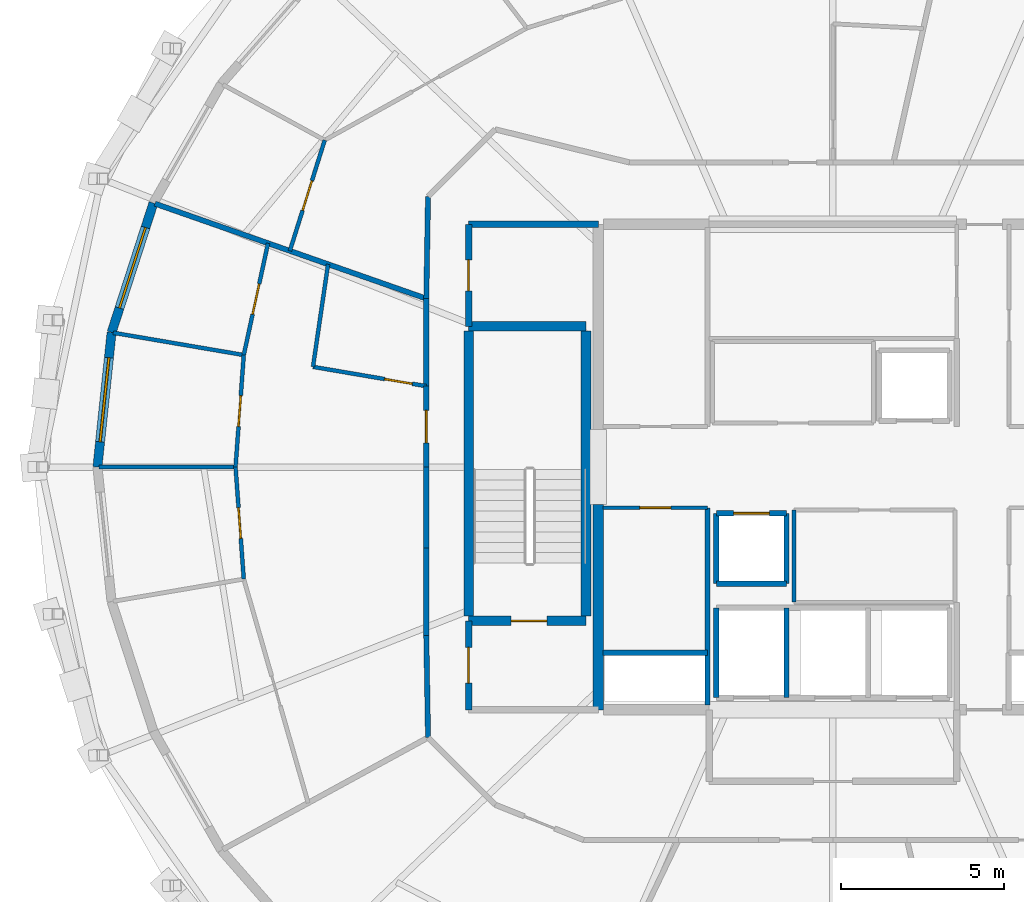
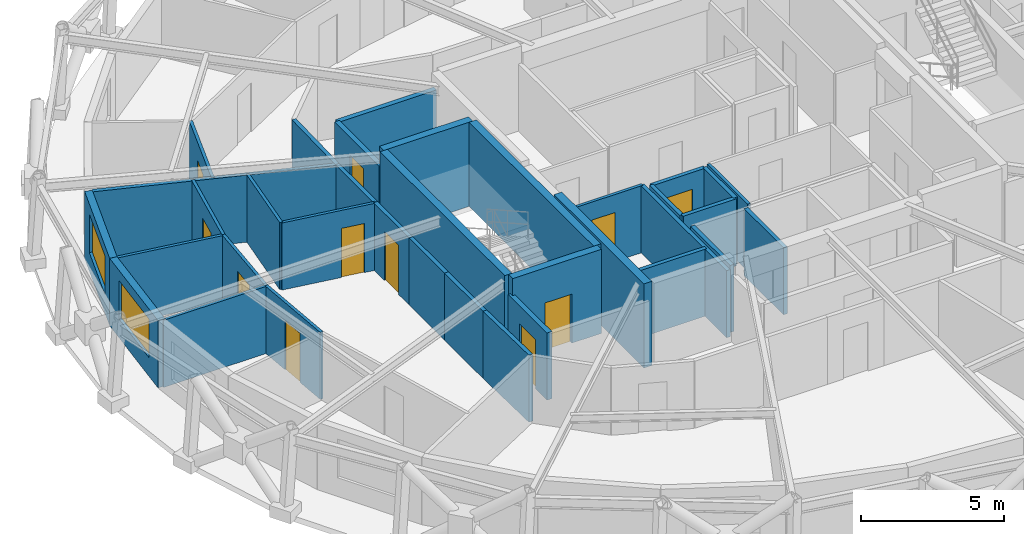
# One storey, part 12 of 17: 35 walls, 11 doors, 2 windows, 13 openings.
"""IFC4 building model written with IfcOpenShell, lengths in metres."""

from ifc_helpers import new_model, si_unit, direction, frame, frame_2d, origin, place, context, subcontext, project, spatial, rectangle, extrude, material, layer, layer_set, type_object, element, fill, save


model = new_model("IFC4")

# Units and contexts
model_context = context("Model", 3, precision=1e-05, world=origin(), true_north=direction((0.0, 1.0)))
body_context = subcontext(model_context, "Body", "Model", "MODEL_VIEW")
ifc_project = project(units=[si_unit("LENGTHUNIT", "METRE"), si_unit("AREAUNIT", "SQUARE_METRE"), si_unit("VOLUMEUNIT", "CUBIC_METRE"), si_unit("PLANEANGLEUNIT", "RADIAN"), si_unit("MASSUNIT", "GRAM", prefix="KILO")], contexts=[model_context])

# Site, building, storey
site_placement = place(None, origin())
site = spatial("IfcSite", under=ifc_project, at=site_placement, CompositionType="ELEMENT")
building_placement = place(site_placement, origin())
building = spatial("IfcBuilding", under=site, at=building_placement, Name="Veldorina Hangang Commons", CompositionType="ELEMENT")
storey_placement = place(building_placement, frame((0.0, 0.0, 229.199951171875)))
storey = spatial("IfcBuildingStorey", under=building, at=storey_placement, Name="L59", CompositionType="ELEMENT", Elevation=229.199951171875)

# Wall
ifc_material_1 = material(Name="Concrete C50/60", Category="concrete")
ifc_layer_1 = layer(ifc_material_1, 0.320068359375)
ifc_layer_set_1 = layer_set([ifc_layer_1], Name="Concrete C50/60")
wall_type_1 = type_object("IfcWallType", Name="CW-RC320-C50", PredefinedType="SHEAR", material=ifc_layer_set_1)
wall_1_placement = place(storey_placement, frame((24.800048828125, 16.550048828125, 0.0), z_axis=(0.0, 0.0, 1.0), x_axis=(0.0, 1.0, 0.0)))
element("IfcWall", 1, at=wall_1_placement, inside=storey, type_object=wall_type_1, Name="L59 W south core shear wall", PredefinedType="SHEAR", context=body_context, shape_type="SweptSolid", body=[
    extrude(rectangle(XDim=6.300048828125, YDim=0.320068359375, at=frame_2d((3.14990234375, 0.0))), origin(), (0.0, 0.0, 1.0), 3.60009765625),
])

# Wall, opening, window
ifc_material_2 = material(Name="Stone Roman Travertine", Category="masonry")
ifc_layer_2 = layer(ifc_material_2, 0.280029296875)
ifc_layer_set_2 = layer_set([ifc_layer_2], Name="Stone Roman Travertine")
wall_type_2 = type_object("IfcWallType", Name="EW-TRAV-280", PredefinedType="STANDARD", material=ifc_layer_set_2)
wall_2_placement = place(storey_placement, frame((11.144287109375, 32.1015625, 0.0), z_axis=(0.0, 0.0, 1.0), x_axis=(-0.307722172472, -0.951476255389, 0.0)))
wall_2 = element("IfcWall", 2, at=wall_2_placement, inside=storey, type_object=wall_type_2, Name="L59 travertine facade wall 14", PredefinedType="STANDARD", context=body_context, shape_type="SweptSolid", body=[
    extrude(rectangle(XDim=4.174072265625, YDim=0.280029296875, at=frame_2d((2.0869140625, 0.0))), origin(), (0.0, 0.0, 1.0), 2.880126953125),
])
opening_1_placement = place(wall_2_placement, frame((0.787109375, 0.0, 0.800048828125)))
opening_1 = element("IfcOpeningElement", 3, at=opening_1_placement, cuts=wall_2, Name="Opening W-02", PredefinedType="OPENING", context=body_context, shape_type="SweptSolid", body=[
    extrude(rectangle(XDim=2.60009765625, YDim=1.64990234375, at=frame_2d((1.300048828125, 0.824951171875))), frame((0.0, 0.14990234375, 0.0), z_axis=(0.0, -1.0, 0.0), x_axis=(1.0, 0.0, 0.0)), (0.0, 0.0, 1.0), 0.300048828125),
])
ifc_material_3 = material(Name="Glass Low-E Triple IGU", Category="glass")
window_type = type_object("IfcWindowType", Name="WIN-TWR-2600", PartitioningType="SINGLE_PANEL", PredefinedType="WINDOW", material=ifc_material_3)
window_1_placement = place(opening_1_placement, origin())
window_1 = element("IfcWindow", 4, at=window_1_placement, inside=storey, type_object=window_type, Name="L59 facade window 14", OverallHeight=1.64990234375, OverallWidth=2.60009765625, PartitioningType="SINGLE_PANEL", PredefinedType="WINDOW", context=body_context, shape_type="SweptSolid", body=[
    extrude(rectangle(XDim=2.60009765625, YDim=1.64990234375, at=frame_2d((1.300048828125, 0.824951171875))), frame((0.0, 0.030029296875, 0.0), z_axis=(0.0, -1.0, 0.0), x_axis=(1.0, 0.0, 0.0)), (0.0, 0.0, 1.0), 0.06005859375),
])
fill(opening_1, window_1)

wall_3_placement = place(storey_placement, frame((9.85986328125, 28.130126953125, 0.0), z_axis=(0.0, 0.0, 1.0), x_axis=(-0.104467505457, -0.994528300404, 0.0)))
wall_3 = element("IfcWall", 5, at=wall_3_placement, inside=storey, type_object=wall_type_2, Name="L59 travertine facade wall 15", PredefinedType="STANDARD", context=body_context, shape_type="SweptSolid", body=[
    extrude(rectangle(XDim=4.15283203125, YDim=0.280029296875, at=frame_2d((2.076416015625, 0.0))), origin(), (0.0, 0.0, 1.0), 2.880126953125),
])
opening_2_placement = place(wall_3_placement, frame((0.7763671875, 0.0, 0.800048828125)))
opening_2 = element("IfcOpeningElement", 6, at=opening_2_placement, cuts=wall_3, Name="Opening W-02", PredefinedType="OPENING", context=body_context, shape_type="SweptSolid", body=[
    extrude(rectangle(XDim=2.60009765625, YDim=1.64990234375, at=frame_2d((1.300048828125, 0.824951171875))), frame((0.0, 0.14990234375, 0.0), z_axis=(0.0, -1.0, 0.0), x_axis=(1.0, 0.0, 0.0)), (0.0, 0.0, 1.0), 0.300048828125),
])
window_2_placement = place(opening_2_placement, origin())
window_2 = element("IfcWindow", 7, at=window_2_placement, inside=storey, type_object=window_type, Name="L59 facade window 15", OverallHeight=1.64990234375, OverallWidth=2.60009765625, PartitioningType="SINGLE_PANEL", PredefinedType="WINDOW", context=body_context, shape_type="SweptSolid", body=[
    extrude(rectangle(XDim=2.60009765625, YDim=1.64990234375, at=frame_2d((1.300048828125, 0.824951171875))), frame((0.0, 0.030029296875, 0.0), z_axis=(0.0, -1.0, 0.0), x_axis=(1.0, 0.0, 0.0)), (0.0, 0.0, 1.0), 0.06005859375),
])
fill(opening_2, window_2)

# Walls
ifc_layer_3 = layer(ifc_material_1, 0.300048828125)
ifc_layer_set_3 = layer_set([ifc_layer_3], Name="Concrete C50/60")
wall_type_3 = type_object("IfcWallType", Name="SW-STAIR-300", PredefinedType="SHEAR", material=ifc_layer_set_3)
for number, where, z_axis, x_axis, name in (
    (8, (20.820068359375, 19.429931640625, 0.0), (0.0, 0.0, 1.0), (0.0, 1.0, 0.0), "L59 ST1 outer stair shear wall"),
    (9, (24.419921875, 19.429931640625, 0.0), (0.0, 0.0, 1.0), (0.0, 1.0, 0.0), "L59 ST1 inner stair shear wall"),
):
    element("IfcWall", number, at=place(storey_placement, frame(where, z_axis=z_axis, x_axis=x_axis)), inside=storey, type_object=wall_type_3, Name=name, PredefinedType="SHEAR", context=body_context, shape_type="SweptSolid", body=[
        extrude(rectangle(XDim=8.739990234375, YDim=0.300048828125, at=frame_2d((4.3701171875, 0.0))), origin(), (0.0, 0.0, 1.0), 3.60009765625),
    ])

# Wall, opening, door
wall_4_placement = place(storey_placement, frame((20.820068359375, 19.280029296875, 0.0), z_axis=(0.0, 0.0, 1.0), x_axis=(1.0, 0.0, 0.0)))
wall_4 = element("IfcWall", 10, at=wall_4_placement, inside=storey, type_object=wall_type_3, Name="L59 ST1 south stair shear wall", PredefinedType="SHEAR", context=body_context, shape_type="SweptSolid", body=[
    extrude(rectangle(XDim=3.599853515625, YDim=0.300048828125, at=frame_2d((1.7998046875, 0.0))), origin(), (0.0, 0.0, 1.0), 3.60009765625),
])
opening_3_placement = place(wall_4_placement, frame((1.300048828125, 0.0, 0.0)))
opening_3 = element("IfcOpeningElement", 11, at=opening_3_placement, cuts=wall_4, Name="Opening D-08", PredefinedType="OPENING", context=body_context, shape_type="SweptSolid", body=[
    extrude(rectangle(XDim=1.10009765625, YDim=2.10009765625, at=frame_2d((0.550048828125, 1.050048828125))), frame((0.0, 0.16015625, 0.0), z_axis=(0.0, -1.0, 0.0), x_axis=(1.0, 0.0, 0.0)), (0.0, 0.0, 1.0), 0.320068359375),
])
ifc_material_4 = material(Name="Steel Fire-Rated Smoke Seal", Category="steel")
door_type_1 = type_object("IfcDoorType", Name="DR-FIRE-1100", OperationType="SINGLE_SWING_RIGHT", PredefinedType="DOOR", material=ifc_material_4)
door_1_placement = place(opening_3_placement, origin())
door_1 = element("IfcDoor", 12, at=door_1_placement, inside=storey, type_object=door_type_1, Name="L59 Special Escape Stair ST-1 door", OperationType="SINGLE_SWING_LEFT", OverallHeight=2.10009765625, OverallWidth=1.10009765625, PredefinedType="DOOR", context=body_context, shape_type="SweptSolid", body=[
    extrude(rectangle(XDim=1.10009765625, YDim=2.10009765625, at=frame_2d((0.550048828125, 1.050048828125))), frame((0.0, 0.02490234375, 0.0), z_axis=(0.0, -1.0, 0.0), x_axis=(1.0, 0.0, 0.0)), (0.0, 0.0, 1.0), 0.050048828125),
])
fill(opening_3, door_1)

# Wall
wall_5_placement = place(storey_placement, frame((20.820068359375, 28.320068359375, 0.0), z_axis=(0.0, 0.0, 1.0), x_axis=(1.0, 0.0, 0.0)))
element("IfcWall", 13, at=wall_5_placement, inside=storey, type_object=wall_type_3, Name="L59 ST1 north stair shear wall", PredefinedType="SHEAR", context=body_context, shape_type="SweptSolid", body=[
    extrude(rectangle(XDim=3.599853515625, YDim=0.300048828125, at=frame_2d((1.7998046875, 0.0))), origin(), (0.0, 0.0, 1.0), 3.60009765625),
])

# Wall, opening, door
ifc_material_5 = material(Name="Gypsum Fire-Rated Twin Stud Wall", Category="gypsum")
ifc_layer_4 = layer(ifc_material_5, 0.159912109375)
ifc_layer_set_4 = layer_set([ifc_layer_4], Name="Gypsum Fire-Rated Twin Stud Wall")
wall_type_4 = type_object("IfcWallType", Name="WL-FIRE-160", PredefinedType="SOLIDWALL", material=ifc_layer_set_4)
wall_6_placement = place(storey_placement, frame((28.419921875, 22.580078125, 0.0), z_axis=(0.0, 0.0, 1.0), x_axis=(1.0, 0.0, 0.0)))
wall_6 = element("IfcWall", 14, at=wall_6_placement, inside=storey, type_object=wall_type_4, Name="L59 Shuttle-high front shaft wall 019", PredefinedType="SOLIDWALL", context=body_context, shape_type="SweptSolid", body=[
    extrude(rectangle(XDim=2.16015625, YDim=0.159912109375, at=frame_2d((1.080078125, 0.0))), origin(), (0.0, 0.0, 1.0), 2.8701171875),
])
opening_4_placement = place(wall_6_placement, frame((0.530029296875, 0.0, 0.0)))
opening_4 = element("IfcOpeningElement", 15, at=opening_4_placement, cuts=wall_6, Name="Opening LD-01", PredefinedType="OPENING", context=body_context, shape_type="SweptSolid", body=[
    extrude(rectangle(XDim=1.10009765625, YDim=2.14990234375, at=frame_2d((0.550048828125, 1.074951171875))), frame((0.0, 0.08984375, 0.0), z_axis=(0.0, -1.0, 0.0), x_axis=(1.0, 0.0, 0.0)), (0.0, 0.0, 1.0), 0.179931640625),
])
ifc_material_6 = material(Name="Stainless Steel Brushed Lift Door", Category="steel")
door_type_2 = type_object("IfcDoorType", Name="DR-LIFT-1100", OperationType="SLIDING_TO_LEFT", PredefinedType="DOOR", material=ifc_material_6)
door_2_placement = place(opening_4_placement, origin())
door_2 = element("IfcDoor", 16, at=door_2_placement, inside=storey, type_object=door_type_2, Name="L59 Lift PL-H2 landing door 007", OperationType="SLIDING_TO_LEFT", OverallHeight=2.14990234375, OverallWidth=1.10009765625, PredefinedType="DOOR", context=body_context, shape_type="SweptSolid", body=[
    extrude(rectangle(XDim=1.10009765625, YDim=2.14990234375, at=frame_2d((0.550048828125, 1.074951171875))), frame((0.0, 0.02490234375, 0.0), z_axis=(0.0, -1.0, 0.0), x_axis=(1.0, 0.0, 0.0)), (0.0, 0.0, 1.0), 0.050048828125),
])
fill(opening_4, door_2)

# Walls
for number, where, z_axis, x_axis, name in (
    (17, (28.419921875, 20.419921875, 0.0), (0.0, 0.0, 1.0), (1.0, 0.0, 0.0), "L59 Shuttle-high rear shaft wall 020"),
    (18, (28.419921875, 20.419921875, 0.0), (0.0, 0.0, 1.0), (0.0, 1.0, 0.0), "L59 PL-H2 west shaft wall 021"),
    (19, (30.580078125, 20.419921875, 0.0), (0.0, 0.0, 1.0), (0.0, 1.0, 0.0), "L59 PL-H2 east shaft wall 022"),
):
    element("IfcWall", number, at=place(storey_placement, frame(where, z_axis=z_axis, x_axis=x_axis)), inside=storey, type_object=wall_type_4, Name=name, PredefinedType="SOLIDWALL", context=body_context, shape_type="SweptSolid", body=[
        extrude(rectangle(XDim=2.16015625, YDim=0.159912109375, at=frame_2d((1.080078125, 0.0))), origin(), (0.0, 0.0, 1.0), 2.8701171875),
    ])
for number, where, z_axis, x_axis, name in (
    (20, (28.419921875, 16.919921875, 0.0), (0.0, 0.0, 1.0), (0.0, 1.0, 0.0), "L59 FFL-1 west shaft wall 025"),
    (21, (30.580078125, 16.919921875, 0.0), (0.0, 0.0, 1.0), (0.0, 1.0, 0.0), "L59 FFL-1 east shaft wall 026"),
):
    element("IfcWall", number, at=place(storey_placement, frame(where, z_axis=z_axis, x_axis=x_axis)), inside=storey, type_object=wall_type_4, Name=name, PredefinedType="SOLIDWALL", context=body_context, shape_type="SweptSolid", body=[
        extrude(rectangle(XDim=2.760009765625, YDim=0.159912109375, at=frame_2d((1.3798828125, 0.0))), origin(), (0.0, 0.0, 1.0), 2.8701171875),
    ])
wall_7_placement = place(storey_placement, frame((24.949951171875, 18.300048828125, 0.0), z_axis=(0.0, 0.0, 1.0), x_axis=(1.0, 0.0, 0.0)))
element("IfcWall", 22, at=wall_7_placement, inside=storey, type_object=wall_type_4, Name="L59 Electrical riser wall 040", PredefinedType="SOLIDWALL", context=body_context, shape_type="SweptSolid", body=[
    extrude(rectangle(XDim=3.199951171875, YDim=0.159912109375, at=frame_2d((1.60009765625, 0.0))), origin(), (0.0, 0.0, 1.0), 2.8701171875),
])
wall_8_placement = place(storey_placement, frame((28.14990234375, 16.699951171875, 0.0), z_axis=(0.0, 0.0, 1.0), x_axis=(0.0, 1.0, 0.0)))
element("IfcWall", 23, at=wall_8_placement, inside=storey, type_object=wall_type_4, Name="L59 SW core inner wall 041", PredefinedType="SOLIDWALL", context=body_context, shape_type="SweptSolid", body=[
    extrude(rectangle(XDim=6.050048828125, YDim=0.159912109375, at=frame_2d((3.02490234375, 0.0))), origin(), (0.0, 0.0, 1.0), 2.8701171875),
])
wall_9_placement = place(storey_placement, frame((19.5732421875, 32.30322265625, 0.0), z_axis=(0.0, 0.0, 1.0), x_axis=(-0.016981035134, -0.999855811828, 0.0)))
element("IfcWall", 24, at=wall_9_placement, inside=storey, type_object=wall_type_4, Name="L59 Compact collar outer wall 13 063", PredefinedType="SOLIDWALL", context=body_context, shape_type="SweptSolid", body=[
    extrude(rectangle(XDim=3.13427734375, YDim=0.159912109375, at=frame_2d((1.567138671875, 0.0))), origin(), (0.0, 0.0, 1.0), 2.8701171875),
])
wall_10_placement = place(storey_placement, frame((19.52001953125, 29.16943359375, 0.0), z_axis=(0.0, 0.0, 1.0), x_axis=(0.0, -1.0, 0.0)))
element("IfcWall", 25, at=wall_10_placement, inside=storey, type_object=wall_type_4, Name="L59 Compact collar outer wall 14 064", PredefinedType="SOLIDWALL", context=body_context, shape_type="SweptSolid", body=[
    extrude(rectangle(XDim=2.68701171875, YDim=0.159912109375, at=frame_2d((1.343505859375, 0.0))), origin(), (0.0, 0.0, 1.0), 2.8701171875),
])

# Wall, opening, door
wall_11_placement = place(storey_placement, frame((19.52001953125, 26.482421875, 0.0), z_axis=(0.0, 0.0, 1.0), x_axis=(0.0, -1.0, 0.0)))
wall_11 = element("IfcWall", 26, at=wall_11_placement, inside=storey, type_object=wall_type_4, Name="L59 Compact collar outer wall 15 065", PredefinedType="SOLIDWALL", context=body_context, shape_type="SweptSolid", body=[
    extrude(rectangle(XDim=2.482421875, YDim=0.159912109375, at=frame_2d((1.2412109375, 0.0))), origin(), (0.0, 0.0, 1.0), 2.8701171875),
])
opening_5_placement = place(wall_11_placement, frame((0.7412109375, 0.0, 0.0)))
opening_5 = element("IfcOpeningElement", 27, at=opening_5_placement, cuts=wall_11, Name="Opening D-06", PredefinedType="OPENING", context=body_context, shape_type="SweptSolid", body=[
    extrude(rectangle(XDim=1.0, YDim=2.10009765625, at=frame_2d((0.5, 1.050048828125))), frame((0.0, 0.08984375, 0.0), z_axis=(0.0, -1.0, 0.0), x_axis=(1.0, 0.0, 0.0)), (0.0, 0.0, 1.0), 0.179931640625),
])
ifc_material_7 = material(Name="Timber Fire-Rated Entrance Core", Category="wood")
door_type_3 = type_object("IfcDoorType", Name="DR-UNIT-1000", OperationType="SINGLE_SWING_LEFT", PredefinedType="DOOR", material=ifc_material_7)
door_3_placement = place(opening_5_placement, origin())
door_3 = element("IfcDoor", 28, at=door_3_placement, inside=storey, type_object=door_type_3, Name="L59 Cluster 4 entrance door 035", OperationType="SINGLE_SWING_LEFT", OverallHeight=2.10009765625, OverallWidth=1.0, PredefinedType="DOOR", context=body_context, shape_type="SweptSolid", body=[
    extrude(rectangle(XDim=1.0, YDim=2.10009765625, at=frame_2d((0.5, 1.050048828125))), frame((0.0, 0.02490234375, 0.0), z_axis=(0.0, -1.0, 0.0), x_axis=(1.0, 0.0, 0.0)), (0.0, 0.0, 1.0), 0.050048828125),
])
fill(opening_5, door_3)

# Walls
wall_12_placement = place(storey_placement, frame((19.52001953125, 24.0, 0.0), z_axis=(0.0, 0.0, 1.0), x_axis=(0.0, -1.0, 0.0)))
element("IfcWall", 29, at=wall_12_placement, inside=storey, type_object=wall_type_4, Name="L59 Compact collar outer wall 16 066", PredefinedType="SOLIDWALL", context=body_context, shape_type="SweptSolid", body=[
    extrude(rectangle(XDim=2.482421875, YDim=0.159912109375, at=frame_2d((1.2412109375, 0.0))), origin(), (0.0, 0.0, 1.0), 2.8701171875),
])
wall_13_placement = place(storey_placement, frame((19.52001953125, 21.517578125, 0.0), z_axis=(0.0, 0.0, 1.0), x_axis=(0.0, -1.0, 0.0)))
element("IfcWall", 30, at=wall_13_placement, inside=storey, type_object=wall_type_4, Name="L59 Compact collar outer wall 17 067", PredefinedType="SOLIDWALL", context=body_context, shape_type="SweptSolid", body=[
    extrude(rectangle(XDim=2.68701171875, YDim=0.159912109375, at=frame_2d((1.343505859375, 0.0))), origin(), (0.0, 0.0, 1.0), 2.8701171875),
])
wall_14_placement = place(storey_placement, frame((19.52001953125, 18.83056640625, 0.0), z_axis=(0.0, 0.0, 1.0), x_axis=(0.016981035134, -0.999855811828, 0.0)))
element("IfcWall", 31, at=wall_14_placement, inside=storey, type_object=wall_type_4, Name="L59 Compact collar outer wall 18 068", PredefinedType="SOLIDWALL", context=body_context, shape_type="SweptSolid", body=[
    extrude(rectangle(XDim=3.13427734375, YDim=0.159912109375, at=frame_2d((1.567138671875, 0.0))), origin(), (0.0, 0.0, 1.0), 2.8701171875),
])
wall_15_placement = place(storey_placement, frame((19.52001953125, 29.16943359375, 0.0), z_axis=(0.0, 0.0, 1.0), x_axis=(-0.943840238758, 0.33040218477, 0.0)))
element("IfcWall", 32, at=wall_15_placement, inside=storey, type_object=wall_type_4, Name="L59 Unit party wall 14 111", PredefinedType="SOLIDWALL", context=body_context, shape_type="SweptSolid", body=[
    extrude(rectangle(XDim=8.82421875, YDim=0.159912109375, at=frame_2d((4.412109375, 0.0))), origin(), (0.0, 0.0, 1.0), 2.8701171875),
])

# Wall, opening, door
ifc_material_8 = material(Name="Concrete Blockwork Fire Wall C30/37", Category="masonry")
ifc_layer_5 = layer(ifc_material_8, 0.199951171875)
ifc_layer_set_5 = layer_set([ifc_layer_5], Name="Concrete Blockwork Fire Wall C30/37")
wall_type_5 = type_object("IfcWallType", Name="WL-FIRE-200", PredefinedType="SOLIDWALL", material=ifc_layer_set_5)
wall_16_placement = place(storey_placement, frame((20.820068359375, 16.550048828125, 0.0), z_axis=(0.0, 0.0, 1.0), x_axis=(0.0, 1.0, 0.0)))
wall_16 = element("IfcWall", 33, at=wall_16_placement, inside=storey, type_object=wall_type_5, Name="L59 West vestibule outer wall 001", PredefinedType="SOLIDWALL", context=body_context, shape_type="SweptSolid", body=[
    extrude(rectangle(XDim=2.72998046875, YDim=0.199951171875, at=frame_2d((1.364990234375, 0.0))), origin(), (0.0, 0.0, 1.0), 2.8701171875),
])
opening_6_placement = place(wall_16_placement, frame((0.81494140625, 0.0, 0.0)))
opening_6 = element("IfcOpeningElement", 34, at=opening_6_placement, cuts=wall_16, Name="Opening D-08", PredefinedType="OPENING", context=body_context, shape_type="SweptSolid", body=[
    extrude(rectangle(XDim=1.10009765625, YDim=2.10009765625, at=frame_2d((0.550048828125, 1.050048828125))), frame((0.0, 0.10986328125, 0.0), z_axis=(0.0, -1.0, 0.0), x_axis=(1.0, 0.0, 0.0)), (0.0, 0.0, 1.0), 0.219970703125),
])
door_4_placement = place(opening_6_placement, origin())
door_4 = element("IfcDoor", 35, at=door_4_placement, inside=storey, type_object=door_type_1, Name="L59 West vestibule west door 001", OperationType="SINGLE_SWING_LEFT", OverallHeight=2.10009765625, OverallWidth=1.10009765625, PredefinedType="DOOR", context=body_context, shape_type="SweptSolid", body=[
    extrude(rectangle(XDim=1.10009765625, YDim=2.10009765625, at=frame_2d((0.550048828125, 1.050048828125))), frame((0.0, 0.02490234375, 0.0), z_axis=(0.0, -1.0, 0.0), x_axis=(1.0, 0.0, 0.0)), (0.0, 0.0, 1.0), 0.050048828125),
])
fill(opening_6, door_4)

wall_17_placement = place(storey_placement, frame((20.820068359375, 28.320068359375, 0.0), z_axis=(0.0, 0.0, 1.0), x_axis=(0.0, 1.0, 0.0)))
wall_17 = element("IfcWall", 36, at=wall_17_placement, inside=storey, type_object=wall_type_5, Name="L59 NW core room outer wall 005", PredefinedType="SOLIDWALL", context=body_context, shape_type="SweptSolid", body=[
    extrude(rectangle(XDim=3.1298828125, YDim=0.199951171875, at=frame_2d((1.56494140625, 0.0))), origin(), (0.0, 0.0, 1.0), 2.8701171875),
])
opening_7_placement = place(wall_17_placement, frame((1.090087890625, 0.0, 0.0)))
opening_7 = element("IfcOpeningElement", 37, at=opening_7_placement, cuts=wall_17, Name="Opening D-04", PredefinedType="OPENING", context=body_context, shape_type="SweptSolid", body=[
    extrude(rectangle(XDim=0.949951171875, YDim=2.10009765625, at=frame_2d((0.47509765625, 1.050048828125))), frame((0.0, 0.10986328125, 0.0), z_axis=(0.0, -1.0, 0.0), x_axis=(1.0, 0.0, 0.0)), (0.0, 0.0, 1.0), 0.219970703125),
])
ifc_material_9 = material(Name="Timber Accessible Flush Leaf", Category="wood")
door_type_4 = type_object("IfcDoorType", Name="DR-ACC-950", OperationType="SINGLE_SWING_LEFT", PredefinedType="DOOR", material=ifc_material_9)
door_5_placement = place(opening_7_placement, origin())
door_5 = element("IfcDoor", 38, at=door_5_placement, inside=storey, type_object=door_type_4, Name="L59 NW core WC door 003", OperationType="SINGLE_SWING_LEFT", OverallHeight=2.10009765625, OverallWidth=0.949951171875, PredefinedType="DOOR", context=body_context, shape_type="SweptSolid", body=[
    extrude(rectangle(XDim=0.949951171875, YDim=2.10009765625, at=frame_2d((0.47509765625, 1.050048828125))), frame((0.0, 0.02490234375, 0.0), z_axis=(0.0, -1.0, 0.0), x_axis=(1.0, 0.0, 0.0)), (0.0, 0.0, 1.0), 0.050048828125),
])
fill(opening_7, door_5)

# Walls
wall_18_placement = place(storey_placement, frame((20.820068359375, 31.449951171875, 0.0), z_axis=(0.0, 0.0, 1.0), x_axis=(1.0, 0.0, 0.0)))
element("IfcWall", 39, at=wall_18_placement, inside=storey, type_object=wall_type_5, Name="L59 NW core room north wall 006", PredefinedType="SOLIDWALL", context=body_context, shape_type="SweptSolid", body=[
    extrude(rectangle(XDim=3.97998046875, YDim=0.199951171875, at=frame_2d((1.989990234375, 0.0))), origin(), (0.0, 0.0, 1.0), 2.8701171875),
])
ifc_material_10 = material(Name="Gypsum Acoustic Stud Partition", Category="gypsum")
ifc_layer_6 = layer(ifc_material_10, 0.1201171875)
ifc_layer_set_6 = layer_set([ifc_layer_6], Name="Gypsum Acoustic Stud Partition")
wall_type_6 = type_object("IfcWallType", Name="WL-PART-120", PredefinedType="PARTITIONING", material=ifc_layer_set_6)
wall_19_placement = place(storey_placement, frame((30.800048828125, 19.85009765625, 0.0), z_axis=(0.0, 0.0, 1.0), x_axis=(0.0, 1.0, 0.0)))
element("IfcWall", 40, at=wall_19_placement, inside=storey, type_object=wall_type_6, Name="L59 Merged shuttle west wall 038", PredefinedType="PARTITIONING", context=body_context, shape_type="SweptSolid", body=[
    extrude(rectangle(XDim=2.829833984375, YDim=0.1201171875, at=frame_2d((1.4150390625, 0.0))), origin(), (0.0, 0.0, 1.0), 2.8701171875),
])

# Wall, opening, door
wall_20_placement = place(storey_placement, frame((24.949951171875, 22.75, 0.0), z_axis=(0.0, 0.0, 1.0), x_axis=(1.0, 0.0, 0.0)))
wall_20 = element("IfcWall", 41, at=wall_20_placement, inside=storey, type_object=wall_type_6, Name="L59 SW service north wall 045", PredefinedType="PARTITIONING", context=body_context, shape_type="SweptSolid", body=[
    extrude(rectangle(XDim=3.199951171875, YDim=0.1201171875, at=frame_2d((1.60009765625, 0.0))), origin(), (0.0, 0.0, 1.0), 2.8701171875),
])
opening_8_placement = place(wall_20_placement, frame((1.125, 0.0, 0.0)))
opening_8 = element("IfcOpeningElement", 42, at=opening_8_placement, cuts=wall_20, Name="Opening D-02", PredefinedType="OPENING", context=body_context, shape_type="SweptSolid", body=[
    extrude(rectangle(XDim=0.949951171875, YDim=2.10009765625, at=frame_2d((0.47509765625, 1.050048828125))), frame((0.0, 0.070068359375, 0.0), z_axis=(0.0, -1.0, 0.0), x_axis=(1.0, 0.0, 0.0)), (0.0, 0.0, 1.0), 0.14013671875),
])
ifc_material_11 = material(Name="Timber Solid Core Acoustic", Category="wood")
door_type_5 = type_object("IfcDoorType", Name="DR-INT-950", OperationType="SINGLE_SWING_LEFT", PredefinedType="DOOR", material=ifc_material_11)
door_6_placement = place(opening_8_placement, origin())
door_6 = element("IfcDoor", 43, at=door_6_placement, inside=storey, type_object=door_type_5, Name="L59 Refuse hold door 015", OperationType="SINGLE_SWING_LEFT", OverallHeight=2.10009765625, OverallWidth=0.949951171875, PredefinedType="DOOR", context=body_context, shape_type="SweptSolid", body=[
    extrude(rectangle(XDim=0.949951171875, YDim=2.10009765625, at=frame_2d((0.47509765625, 1.050048828125))), frame((0.0, 0.02490234375, 0.0), z_axis=(0.0, -1.0, 0.0), x_axis=(1.0, 0.0, 0.0)), (0.0, 0.0, 1.0), 0.050048828125),
])
fill(opening_8, door_6)

wall_21_placement = place(storey_placement, frame((16.40185546875, 34.032470703125, 0.0), z_axis=(0.0, 0.0, 1.0), x_axis=(-0.300389822632, -0.953816520333, 0.0)))
wall_21 = element("IfcWall", 44, at=wall_21_placement, inside=storey, type_object=wall_type_6, Name="L59 Cluster 3 bed 6 front wall 109", PredefinedType="PARTITIONING", context=body_context, shape_type="SweptSolid", body=[
    extrude(rectangle(XDim=3.5615234375, YDim=0.1201171875, at=frame_2d((1.78076171875, 0.0))), origin(), (0.0, 0.0, 1.0), 2.8701171875),
])
opening_9_placement = place(wall_21_placement, frame((1.3056640625, 0.0, 0.0)))
opening_9 = element("IfcOpeningElement", 45, at=opening_9_placement, cuts=wall_21, Name="Opening D-02", PredefinedType="OPENING", context=body_context, shape_type="SweptSolid", body=[
    extrude(rectangle(XDim=0.949951171875, YDim=2.10009765625, at=frame_2d((0.47509765625, 1.050048828125))), frame((0.0, 0.070068359375, 0.0), z_axis=(0.0, -1.0, 0.0), x_axis=(1.0, 0.0, 0.0)), (0.0, 0.0, 1.0), 0.14013671875),
])
door_7_placement = place(opening_9_placement, origin())
door_7 = element("IfcDoor", 46, at=door_7_placement, inside=storey, type_object=door_type_5, Name="L59 Cluster 3 bed 6 door 033", OperationType="SINGLE_SWING_LEFT", OverallHeight=2.10009765625, OverallWidth=0.949951171875, PredefinedType="DOOR", context=body_context, shape_type="SweptSolid", body=[
    extrude(rectangle(XDim=0.949951171875, YDim=2.10009765625, at=frame_2d((0.47509765625, 1.050048828125))), frame((0.0, 0.02490234375, 0.0), z_axis=(0.0, -1.0, 0.0), x_axis=(1.0, 0.0, 0.0)), (0.0, 0.0, 1.0), 0.050048828125),
])
fill(opening_9, door_7)

# Wall
wall_22_placement = place(storey_placement, frame((16.504638671875, 30.22509765625, 0.0), z_axis=(0.0, 0.0, 1.0), x_axis=(-0.145264349806, -0.989392878828, 0.0)))
element("IfcWall", 47, at=wall_22_placement, inside=storey, type_object=wall_type_6, Name="L59 Cluster 4 bath front wall 112", PredefinedType="PARTITIONING", context=body_context, shape_type="SweptSolid", body=[
    extrude(rectangle(XDim=3.18310546875, YDim=0.1201171875, at=frame_2d((1.591552734375, 0.0))), origin(), (0.0, 0.0, 1.0), 2.8701171875),
])

# Wall, opening, door
wall_23_placement = place(storey_placement, frame((19.52001953125, 26.482421875, 0.0), z_axis=(0.0, 0.0, 1.0), x_axis=(-0.985760215804, 0.16815706033, 0.0)))
wall_23 = element("IfcWall", 48, at=wall_23_placement, inside=storey, type_object=wall_type_6, Name="L59 Cluster 4 bath side wall 113", PredefinedType="PARTITIONING", context=body_context, shape_type="SweptSolid", body=[
    extrude(rectangle(XDim=3.528076171875, YDim=0.1201171875, at=frame_2d((1.76416015625, 0.0))), origin(), (0.0, 0.0, 1.0), 2.8701171875),
])
opening_10_placement = place(wall_23_placement, frame((0.43994140625, 0.0, 0.0)))
opening_10 = element("IfcOpeningElement", 49, at=opening_10_placement, cuts=wall_23, Name="Opening D-01", PredefinedType="OPENING", context=body_context, shape_type="SweptSolid", body=[
    extrude(rectangle(XDim=0.860107421875, YDim=2.10009765625, at=frame_2d((0.43017578125, 1.050048828125))), frame((0.0, 0.070068359375, 0.0), z_axis=(0.0, -1.0, 0.0), x_axis=(1.0, 0.0, 0.0)), (0.0, 0.0, 1.0), 0.14013671875),
])
ifc_material_12 = material(Name="Timber Moisture-Resistant Core", Category="wood")
door_type_6 = type_object("IfcDoorType", Name="DR-WET-860", OperationType="SINGLE_SWING_LEFT", PredefinedType="DOOR", material=ifc_material_12)
door_8_placement = place(opening_10_placement, origin())
door_8 = element("IfcDoor", 50, at=door_8_placement, inside=storey, type_object=door_type_6, Name="L59 Cluster 4 shared bathroom door 034", OperationType="SINGLE_SWING_RIGHT", OverallHeight=2.10009765625, OverallWidth=0.860107421875, PredefinedType="DOOR", context=body_context, shape_type="SweptSolid", body=[
    extrude(rectangle(XDim=0.860107421875, YDim=2.10009765625, at=frame_2d((0.43017578125, 1.050048828125))), frame((0.0, 0.02490234375, 0.0), z_axis=(0.0, -1.0, 0.0), x_axis=(1.0, 0.0, 0.0)), (0.0, 0.0, 1.0), 0.050048828125),
])
fill(opening_10, door_8)

wall_24_placement = place(storey_placement, frame((14.662109375, 30.8701171875, 0.0), z_axis=(0.0, 0.0, 1.0), x_axis=(-0.212158353799, -0.977235300689, 0.0)))
wall_24 = element("IfcWall", 51, at=wall_24_placement, inside=storey, type_object=wall_type_6, Name="L59 Cluster 4 bed 1 front wall 114", PredefinedType="PARTITIONING", context=body_context, shape_type="SweptSolid", body=[
    extrude(rectangle(XDim=3.511962890625, YDim=0.1201171875, at=frame_2d((1.755859375, 0.0))), origin(), (0.0, 0.0, 1.0), 2.8701171875),
])
opening_11_placement = place(wall_24_placement, frame((1.281005859375, 0.0, 0.0)))
opening_11 = element("IfcOpeningElement", 52, at=opening_11_placement, cuts=wall_24, Name="Opening D-02", PredefinedType="OPENING", context=body_context, shape_type="SweptSolid", body=[
    extrude(rectangle(XDim=0.949951171875, YDim=2.10009765625, at=frame_2d((0.47509765625, 1.050048828125))), frame((0.0, 0.070068359375, 0.0), z_axis=(0.0, -1.0, 0.0), x_axis=(1.0, 0.0, 0.0)), (0.0, 0.0, 1.0), 0.14013671875),
])
door_9_placement = place(opening_11_placement, origin())
door_9 = element("IfcDoor", 53, at=door_9_placement, inside=storey, type_object=door_type_5, Name="L59 Cluster 4 bed 1 door 036", OperationType="SINGLE_SWING_RIGHT", OverallHeight=2.10009765625, OverallWidth=0.949951171875, PredefinedType="DOOR", context=body_context, shape_type="SweptSolid", body=[
    extrude(rectangle(XDim=0.949951171875, YDim=2.10009765625, at=frame_2d((0.47509765625, 1.050048828125))), frame((0.0, 0.02490234375, 0.0), z_axis=(0.0, -1.0, 0.0), x_axis=(1.0, 0.0, 0.0)), (0.0, 0.0, 1.0), 0.050048828125),
])
fill(opening_11, door_9)

wall_25_placement = place(storey_placement, frame((13.9169921875, 27.43798828125, 0.0), z_axis=(0.0, 0.0, 1.0), x_axis=(-0.072948147054, -0.997335734766, 0.0)))
wall_25 = element("IfcWall", 54, at=wall_25_placement, inside=storey, type_object=wall_type_6, Name="L59 Cluster 4 bed 2 front wall 115", PredefinedType="PARTITIONING", context=body_context, shape_type="SweptSolid", body=[
    extrude(rectangle(XDim=3.447265625, YDim=0.1201171875, at=frame_2d((1.7236328125, 0.0))), origin(), (0.0, 0.0, 1.0), 2.8701171875),
])
opening_12_placement = place(wall_25_placement, frame((1.248779296875, 0.0, 0.0)))
opening_12 = element("IfcOpeningElement", 55, at=opening_12_placement, cuts=wall_25, Name="Opening D-02", PredefinedType="OPENING", context=body_context, shape_type="SweptSolid", body=[
    extrude(rectangle(XDim=0.949951171875, YDim=2.10009765625, at=frame_2d((0.47509765625, 1.050048828125))), frame((0.0, 0.070068359375, 0.0), z_axis=(0.0, -1.0, 0.0), x_axis=(1.0, 0.0, 0.0)), (0.0, 0.0, 1.0), 0.14013671875),
])
door_10_placement = place(opening_12_placement, origin())
door_10 = element("IfcDoor", 56, at=door_10_placement, inside=storey, type_object=door_type_5, Name="L59 Cluster 4 bed 2 door 037", OperationType="SINGLE_SWING_LEFT", OverallHeight=2.10009765625, OverallWidth=0.949951171875, PredefinedType="DOOR", context=body_context, shape_type="SweptSolid", body=[
    extrude(rectangle(XDim=0.949951171875, YDim=2.10009765625, at=frame_2d((0.47509765625, 1.050048828125))), frame((0.0, 0.02490234375, 0.0), z_axis=(0.0, -1.0, 0.0), x_axis=(1.0, 0.0, 0.0)), (0.0, 0.0, 1.0), 0.050048828125),
])
fill(opening_12, door_10)

# Wall
wall_26_placement = place(storey_placement, frame((13.9169921875, 27.43798828125, 0.0), z_axis=(0.0, 0.0, 1.0), x_axis=(-0.98576362556, 0.168137070637, 0.0)))
element("IfcWall", 57, at=wall_26_placement, inside=storey, type_object=wall_type_6, Name="L59 Cluster 4 bed divider 1 116", PredefinedType="PARTITIONING", context=body_context, shape_type="SweptSolid", body=[
    extrude(rectangle(XDim=4.065673828125, YDim=0.1201171875, at=frame_2d((2.03271484375, 0.0))), origin(), (0.0, 0.0, 1.0), 2.8701171875),
])

# Wall, opening, door
wall_27_placement = place(storey_placement, frame((13.66552734375, 24.0, 0.0), z_axis=(0.0, 0.0, 1.0), x_axis=(0.072948147054, -0.997335734766, 0.0)))
wall_27 = element("IfcWall", 58, at=wall_27_placement, inside=storey, type_object=wall_type_6, Name="L59 Cluster 4 bed 3 front wall 117", PredefinedType="PARTITIONING", context=body_context, shape_type="SweptSolid", body=[
    extrude(rectangle(XDim=3.447265625, YDim=0.1201171875, at=frame_2d((1.7236328125, 0.0))), origin(), (0.0, 0.0, 1.0), 2.8701171875),
])
opening_13_placement = place(wall_27_placement, frame((1.248779296875, 0.0, 0.0)))
opening_13 = element("IfcOpeningElement", 59, at=opening_13_placement, cuts=wall_27, Name="Opening D-02", PredefinedType="OPENING", context=body_context, shape_type="SweptSolid", body=[
    extrude(rectangle(XDim=0.949951171875, YDim=2.10009765625, at=frame_2d((0.47509765625, 1.050048828125))), frame((0.0, 0.070068359375, 0.0), z_axis=(0.0, -1.0, 0.0), x_axis=(1.0, 0.0, 0.0)), (0.0, 0.0, 1.0), 0.14013671875),
])
door_11_placement = place(opening_13_placement, origin())
door_11 = element("IfcDoor", 60, at=door_11_placement, inside=storey, type_object=door_type_5, Name="L59 Cluster 4 bed 3 door 038", OperationType="SINGLE_SWING_RIGHT", OverallHeight=2.10009765625, OverallWidth=0.949951171875, PredefinedType="DOOR", context=body_context, shape_type="SweptSolid", body=[
    extrude(rectangle(XDim=0.949951171875, YDim=2.10009765625, at=frame_2d((0.47509765625, 1.050048828125))), frame((0.0, 0.02490234375, 0.0), z_axis=(0.0, -1.0, 0.0), x_axis=(1.0, 0.0, 0.0)), (0.0, 0.0, 1.0), 0.050048828125),
])
fill(opening_13, door_11)

# Wall
wall_28_placement = place(storey_placement, frame((13.66552734375, 24.0, 0.0), z_axis=(0.0, 0.0, 1.0), x_axis=(-1.0, 0.0, 0.0)))
element("IfcWall", 61, at=wall_28_placement, inside=storey, type_object=wall_type_6, Name="L59 Cluster 4 bed divider 2 118", PredefinedType="PARTITIONING", context=body_context, shape_type="SweptSolid", body=[
    extrude(rectangle(XDim=4.189453125, YDim=0.1201171875, at=frame_2d((2.0947265625, 0.0))), origin(), (0.0, 0.0, 1.0), 2.8701171875),
])

save(model, "model.ifc")
